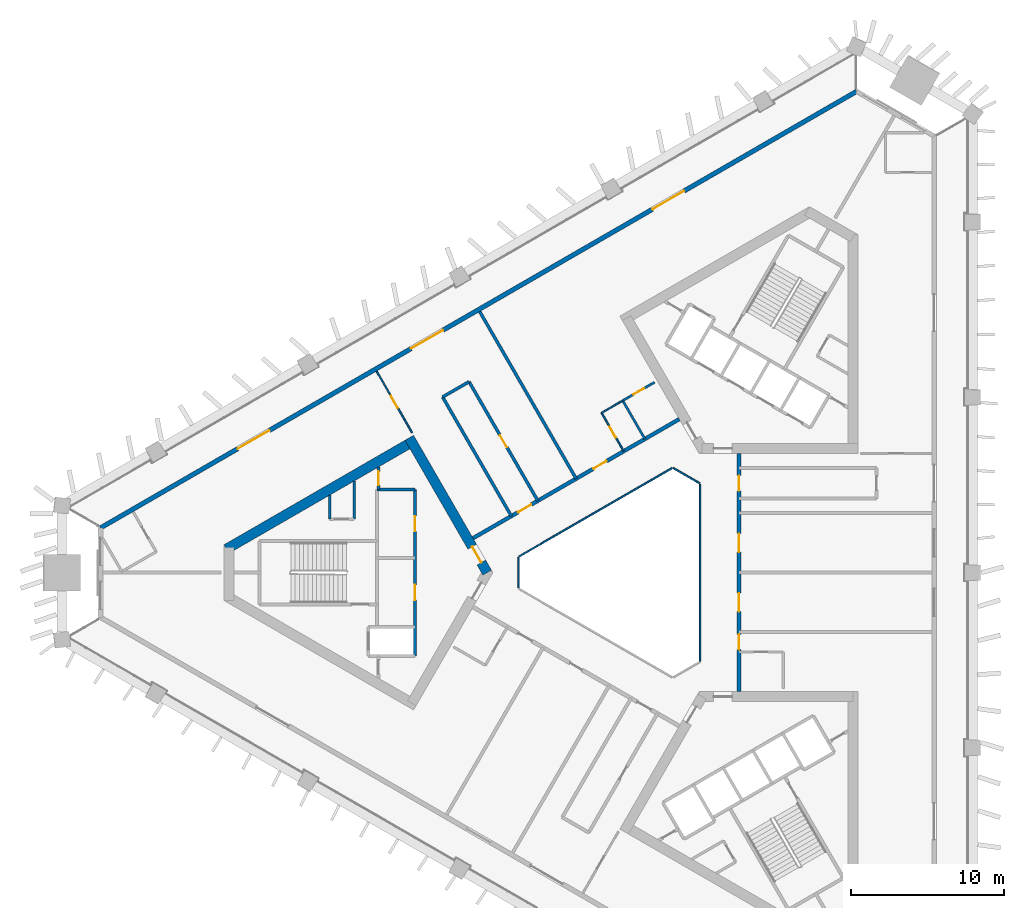
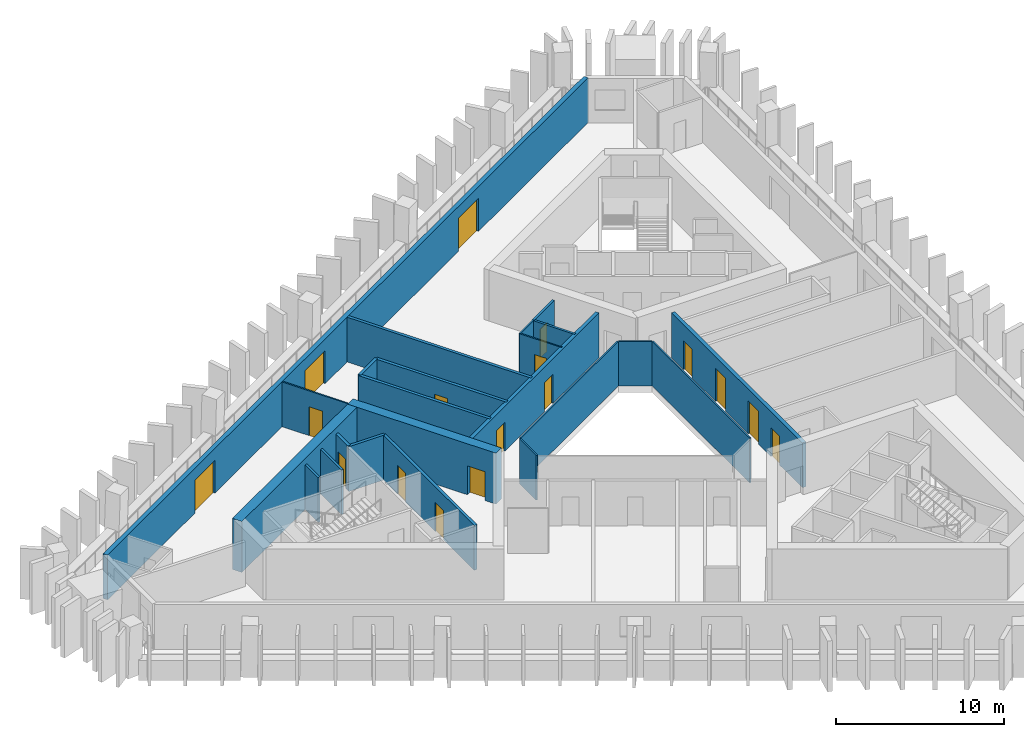
# One storey, part 4 of 10: 23 walls, 17 doors, 17 openings.
"""IFC4 building model written with IfcOpenShell, lengths in metres."""

from ifc_helpers import new_model, si_unit, direction, frame, frame_2d, origin, place, context, subcontext, project, spatial, rectangle, extrude, material, layer, layer_set, type_object, element, fill, save


model = new_model("IFC4")

# Units and contexts
model_context = context("Model", 3, precision=1e-05, world=origin(), true_north=direction((0.0, 1.0)))
body_context = subcontext(model_context, "Body", "Model", "MODEL_VIEW")
ifc_project = project(units=[si_unit("LENGTHUNIT", "METRE"), si_unit("AREAUNIT", "SQUARE_METRE"), si_unit("VOLUMEUNIT", "CUBIC_METRE"), si_unit("PLANEANGLEUNIT", "RADIAN"), si_unit("MASSUNIT", "GRAM", prefix="KILO")], contexts=[model_context])

# Site, building, storey
site_placement = place(None, origin())
site = spatial("IfcSite", under=ifc_project, at=site_placement, CompositionType="ELEMENT")
building_placement = place(site_placement, origin())
building = spatial("IfcBuilding", under=site, at=building_placement, Name="Jabali Bay Hotel Tower and Convention Centre", CompositionType="ELEMENT")
storey_placement = place(building_placement, frame((0.0, 0.0, 110.5)))
storey = spatial("IfcBuildingStorey", under=building, at=storey_placement, Name="L26", CompositionType="ELEMENT", Elevation=110.5)

# Walls
ifc_material_1 = material(Name="Fire-resistant glazing", Category="glass")
ifc_layer_1 = layer(ifc_material_1, 0.10009765625)
ifc_layer_set_1 = layer_set([ifc_layer_1], Name="Fire-resistant glazing")
wall_type_1 = type_object("IfcWallType", Name="Atrium glazed screen 100", PredefinedType="PARTITIONING", material=ifc_layer_set_1)
wall_1_placement = place(storey_placement, frame((79.56005859375, 74.205810546875, 0.0), z_axis=(0.0, 0.0, 1.0), x_axis=(0.0, 1.0, 0.0)))
element("IfcWall", 1, at=wall_1_placement, inside=storey, type_object=wall_type_1, Name="Atrium screen 1 L26", PredefinedType="PARTITIONING", context=body_context, shape_type="SweptSolid", body=[
    extrude(rectangle(XDim=11.58837890625, YDim=0.10009765625, at=frame_2d((5.794189453125, 0.0))), origin(), (0.0, 0.0, 1.0), 3.25),
])
wall_2_placement = place(storey_placement, frame((79.530029296875, 85.84619140625, 0.0), z_axis=(0.0, 0.0, 1.0), x_axis=(-0.866041268327, 0.499972520799, 0.0)))
element("IfcWall", 2, at=wall_2_placement, inside=storey, type_object=wall_type_1, Name="Atrium screen 2 L26", PredefinedType="PARTITIONING", context=body_context, shape_type="SweptSolid", body=[
    extrude(rectangle(XDim=2.0, YDim=0.10009765625, at=frame_2d((1.0, 0.0))), origin(), (0.0, 0.0, 1.0), 3.25),
])
wall_3_placement = place(storey_placement, frame((77.738037109375, 86.84619140625, 0.0), z_axis=(0.0, 0.0, 1.0), x_axis=(-0.866026658274, -0.499997827154, 0.0)))
element("IfcWall", 3, at=wall_3_placement, inside=storey, type_object=wall_type_1, Name="Atrium screen 3 L26", PredefinedType="PARTITIONING", context=body_context, shape_type="SweptSolid", body=[
    extrude(rectangle(XDim=11.58837890625, YDim=0.10009765625, at=frame_2d((5.794189453125, 0.0))), origin(), (0.0, 0.0, 1.0), 3.25),
])
wall_4_placement = place(storey_placement, frame((67.672119140625, 81.0, 0.0), z_axis=(0.0, 0.0, 1.0), x_axis=(0.0, -1.0, 0.0)))
element("IfcWall", 4, at=wall_4_placement, inside=storey, type_object=wall_type_1, Name="Atrium screen 4 L26", PredefinedType="PARTITIONING", context=body_context, shape_type="SweptSolid", body=[
    extrude(rectangle(XDim=2.0, YDim=0.10009765625, at=frame_2d((1.0, 0.0))), origin(), (0.0, 0.0, 1.0), 3.25),
])

# Wall, opening, door
ifc_material_2 = material(Name="Concrete C40", Category="concrete")
ifc_layer_2 = layer(ifc_material_2, 0.199951171875)
ifc_layer_set_2 = layer_set([ifc_layer_2], Name="Concrete C40")
wall_type_2 = type_object("IfcWallType", Name="Core partition wall 200", PredefinedType="PARTITIONING", material=ifc_layer_set_2)
wall_5_placement = place(storey_placement, frame((58.52001953125, 86.916748046875, 0.0), z_axis=(0.0, 0.0, 1.0), x_axis=(0.0, -1.0, 0.0)))
wall_5 = element("IfcWall", 5, at=wall_5_placement, inside=storey, type_object=wall_type_2, Name="Core wall 0.9 L26", PredefinedType="PARTITIONING", context=body_context, shape_type="SweptSolid", body=[
    extrude(rectangle(XDim=1.466796875, YDim=0.199951171875, at=frame_2d((0.7333984375, 0.0))), origin(), (0.0, 0.0, 1.0), 3.25),
])
opening_1_placement = place(wall_5_placement, frame((0.283447265625, 0.0, 0.0)))
opening_1 = element("IfcOpeningElement", 6, at=opening_1_placement, cuts=wall_5, Name="Opening D587", PredefinedType="OPENING", context=body_context, shape_type="SweptSolid", body=[
    extrude(rectangle(XDim=0.89990234375, YDim=2.10009765625, at=frame_2d((0.449951171875, 1.050048828125))), frame((0.0, 0.1103515625, 0.0), z_axis=(0.0, -1.0, 0.0), x_axis=(1.0, 0.0, 0.0)), (0.0, 0.0, 1.0), 0.220947265625),
])
ifc_material_3 = material(Name="Fire-rated steel door", Category="steel")
door_type_1 = type_object("IfcDoorType", Name="Vestibule fire door 900 x 2100", OperationType="NOTDEFINED", PredefinedType="NOTDEFINED", material=ifc_material_3)
door_1_placement = place(opening_1_placement, origin())
door_1 = element("IfcDoor", 7, at=door_1_placement, inside=storey, type_object=door_type_1, Name="Vestibule fire door D587", OperationType="SINGLE_SWING_LEFT", OverallHeight=2.10009765625, OverallWidth=0.89990234375, PredefinedType="NOTDEFINED", context=body_context, shape_type="SweptSolid", body=[
    extrude(rectangle(XDim=0.89990234375, YDim=2.10009765625, at=frame_2d((0.449951171875, 1.050048828125))), frame((0.0, 0.02490234375, 0.0), z_axis=(0.0, -1.0, 0.0), x_axis=(1.0, 0.0, 0.0)), (0.0, 0.0, 1.0), 0.050048828125),
])
fill(opening_1, door_1)

# Walls
ifc_material_4 = material(Name="Fire-rated board partition")
ifc_layer_3 = layer(ifc_material_4, 0.14990234375)
ifc_layer_set_3 = layer_set([ifc_layer_3], Name="Fire-rated board partition")
wall_type_3 = type_object("IfcWallType", Name="Core room partition 150", PredefinedType="PARTITIONING", material=ifc_layer_set_3)
wall_6_placement = place(storey_placement, frame((56.919921875, 85.992919921875, 0.0), z_axis=(0.0, 0.0, 1.0), x_axis=(0.0, -1.0, 0.0)))
element("IfcWall", 8, at=wall_6_placement, inside=storey, type_object=wall_type_3, Name="Core wall 0.13 L26", PredefinedType="PARTITIONING", context=body_context, shape_type="SweptSolid", body=[
    extrude(rectangle(XDim=2.492919921875, YDim=0.14990234375, at=frame_2d((1.24658203125, 0.0))), origin(), (0.0, 0.0, 1.0), 3.25),
])
wall_7_placement = place(storey_placement, frame((55.320068359375, 85.069091796875, 0.0), z_axis=(0.0, 0.0, 1.0), x_axis=(0.0, -1.0, 0.0)))
element("IfcWall", 9, at=wall_7_placement, inside=storey, type_object=wall_type_3, Name="Core wall 0.14 L26", PredefinedType="PARTITIONING", context=body_context, shape_type="SweptSolid", body=[
    extrude(rectangle(XDim=1.569091796875, YDim=0.14990234375, at=frame_2d((0.78466796875, 0.0))), origin(), (0.0, 0.0, 1.0), 3.25),
])
ifc_layer_4 = layer(ifc_material_2, 0.199951171875)
ifc_layer_set_4 = layer_set([ifc_layer_4], Name="Concrete C40")
wall_type_4 = type_object("IfcWallType", Name="Core stair wall 200", PredefinedType="SOLIDWALL", material=ifc_layer_set_4)
wall_8_placement = place(storey_placement, frame((60.89990234375, 85.449951171875, 0.0), z_axis=(0.0, 0.0, 1.0), x_axis=(-1.0, 0.0, 0.0)))
element("IfcWall", 10, at=wall_8_placement, inside=storey, type_object=wall_type_4, Name="Core wall 0.0 L26", PredefinedType="SOLIDWALL", context=body_context, shape_type="SweptSolid", body=[
    extrude(rectangle(XDim=2.47998046875, YDim=0.199951171875, at=frame_2d((1.239990234375, 0.0))), origin(), (0.0, 0.0, 1.0), 3.25),
])

# Wall, openings, doors
wall_9_placement = place(storey_placement, frame((60.89990234375, 85.449951171875, 0.0), z_axis=(0.0, 0.0, 1.0), x_axis=(0.0, -1.0, 0.0)))
wall_9 = element("IfcWall", 11, at=wall_9_placement, inside=storey, type_object=wall_type_4, Name="Core wall 0.8 L26", PredefinedType="SOLIDWALL", context=body_context, shape_type="SweptSolid", body=[
    extrude(rectangle(XDim=10.89990234375, YDim=0.199951171875, at=frame_2d((5.449951171875, 0.0))), origin(), (0.0, 0.0, 1.0), 3.25),
])
opening_2_placement = place(wall_9_placement, frame((1.75, 0.0, 0.0)))
opening_2 = element("IfcOpeningElement", 12, at=opening_2_placement, cuts=wall_9, Name="Opening D584", PredefinedType="OPENING", context=body_context, shape_type="SweptSolid", body=[
    extrude(rectangle(XDim=1.0, YDim=2.10009765625, at=frame_2d((0.5, 1.050048828125))), frame((0.0, 0.1103515625, 0.0), z_axis=(0.0, -1.0, 0.0), x_axis=(1.0, 0.0, 0.0)), (0.0, 0.0, 1.0), 0.220947265625),
])
opening_3_placement = place(wall_9_placement, frame((6.25, 0.0, 0.0)))
opening_3 = element("IfcOpeningElement", 13, at=opening_3_placement, cuts=wall_9, Name="Opening D585", PredefinedType="OPENING", context=body_context, shape_type="SweptSolid", body=[
    extrude(rectangle(XDim=1.0, YDim=2.10009765625, at=frame_2d((0.5, 1.050048828125))), frame((0.0, 0.1103515625, 0.0), z_axis=(0.0, -1.0, 0.0), x_axis=(1.0, 0.0, 0.0)), (0.0, 0.0, 1.0), 0.220947265625),
])
door_type_2 = type_object("IfcDoorType", Name="Core room door 1000 x 2100", OperationType="NOTDEFINED", PredefinedType="NOTDEFINED", material=ifc_material_3)
door_2_placement = place(opening_2_placement, origin())
door_2 = element("IfcDoor", 14, at=door_2_placement, inside=storey, type_object=door_type_2, Name="Core room door D584", OperationType="SINGLE_SWING_RIGHT", OverallHeight=2.10009765625, OverallWidth=1.0, PredefinedType="NOTDEFINED", context=body_context, shape_type="SweptSolid", body=[
    extrude(rectangle(XDim=1.0, YDim=2.10009765625, at=frame_2d((0.5, 1.050048828125))), frame((0.0, 0.02490234375, 0.0), z_axis=(0.0, -1.0, 0.0), x_axis=(1.0, 0.0, 0.0)), (0.0, 0.0, 1.0), 0.050048828125),
])
fill(opening_2, door_2)
door_3_placement = place(opening_3_placement, origin())
door_3 = element("IfcDoor", 15, at=door_3_placement, inside=storey, type_object=door_type_2, Name="Core room door D585", OperationType="SINGLE_SWING_RIGHT", OverallHeight=2.10009765625, OverallWidth=1.0, PredefinedType="NOTDEFINED", context=body_context, shape_type="SweptSolid", body=[
    extrude(rectangle(XDim=1.0, YDim=2.10009765625, at=frame_2d((0.5, 1.050048828125))), frame((0.0, 0.02490234375, 0.0), z_axis=(0.0, -1.0, 0.0), x_axis=(1.0, 0.0, 0.0)), (0.0, 0.0, 1.0), 0.050048828125),
])
fill(opening_3, door_3)

# Wall, opening, door
ifc_material_5 = material(Name="Concrete C60", Category="concrete")
ifc_layer_5 = layer(ifc_material_5, 0.64990234375)
ifc_layer_set_5 = layer_set([ifc_layer_5], Name="Concrete C60")
wall_type_5 = type_object("IfcWallType", Name="Core wall 650", PredefinedType="SHEAR", material=ifc_layer_set_5)
wall_10_placement = place(storey_placement, frame((65.624755859375, 80.0, 0.0), z_axis=(0.0, 0.0, 1.0), x_axis=(-0.49999822179, 0.866026430432, 0.0)))
wall_10 = element("IfcWall", 16, at=wall_10_placement, inside=storey, type_object=wall_type_5, Name="Core wall 1.1 L26", PredefinedType="SHEAR", context=body_context, shape_type="SweptSolid", body=[
    extrude(rectangle(XDim=10.1923828125, YDim=0.64990234375, at=frame_2d((5.09619140625, 0.0))), origin(), (0.0, 0.0, 1.0), 3.699951171875),
])
opening_4_placement = place(wall_10_placement, frame((0.762451171875, 0.0, 0.0)))
opening_4 = element("IfcOpeningElement", 17, at=opening_4_placement, cuts=wall_10, Name="Opening D582", PredefinedType="OPENING", context=body_context, shape_type="SweptSolid", body=[
    extrude(rectangle(XDim=1.199951171875, YDim=2.10009765625, at=frame_2d((0.60009765625, 1.050048828125))), frame((0.0, 0.33544921875, 0.0), z_axis=(0.0, -1.0, 0.0), x_axis=(1.0, 0.0, 0.0)), (0.0, 0.0, 1.0), 0.6708984375),
])
door_type_3 = type_object("IfcDoorType", Name="Corridor end fire door 1200 x 2100", OperationType="NOTDEFINED", PredefinedType="NOTDEFINED", material=ifc_material_3)
door_4_placement = place(opening_4_placement, origin())
door_4 = element("IfcDoor", 18, at=door_4_placement, inside=storey, type_object=door_type_3, Name="Corridor end fire door D582", OperationType="SINGLE_SWING_RIGHT", OverallHeight=2.10009765625, OverallWidth=1.199951171875, PredefinedType="NOTDEFINED", context=body_context, shape_type="SweptSolid", body=[
    extrude(rectangle(XDim=1.199951171875, YDim=2.10009765625, at=frame_2d((0.60009765625, 1.050048828125))), frame((0.0, 0.02490234375, 0.0), z_axis=(0.0, -1.0, 0.0), x_axis=(1.0, 0.0, 0.0)), (0.0, 0.0, 1.0), 0.050048828125),
])
fill(opening_4, door_4)

# Wall
wall_11_placement = place(storey_placement, frame((60.691162109375, 88.54541015625, 0.0), z_axis=(0.0, 0.0, 1.0), x_axis=(-0.866030607649, -0.499990986534, 0.0)))
element("IfcWall", 19, at=wall_11_placement, inside=storey, type_object=wall_type_5, Name="Core wall 1.2 L26", PredefinedType="SHEAR", context=body_context, shape_type="SweptSolid", body=[
    extrude(rectangle(XDim=14.008544921875, YDim=0.64990234375, at=frame_2d((7.00439453125, 0.0))), origin(), (0.0, 0.0, 1.0), 3.699951171875),
])

# Wall, openings, doors
ifc_layer_6 = layer(ifc_material_5, 0.25)
ifc_layer_set_6 = layer_set([ifc_layer_6], Name="Concrete C60")
wall_type_6 = type_object("IfcWallType", Name="Corridor wall 250", PredefinedType="SHEAR", material=ifc_layer_set_6)
wall_12_placement = place(storey_placement, frame((82.10009765625, 72.205810546875, 0.0), z_axis=(0.0, 0.0, 1.0), x_axis=(0.0, 1.0, 0.0)))
wall_12 = element("IfcWall", 20, at=wall_12_placement, inside=storey, type_object=wall_type_6, Name="Corridor wall 1 L26", PredefinedType="SHEAR", context=body_context, shape_type="SweptSolid", body=[
    extrude(rectangle(XDim=15.58837890625, YDim=0.25, at=frame_2d((7.794189453125, 0.0))), origin(), (0.0, 0.0, 1.0), 3.25),
])
opening_5_placement = place(wall_12_placement, frame((2.7470703125, 0.0, 0.0)))
opening_5 = element("IfcOpeningElement", 21, at=opening_5_placement, cuts=wall_12, Name="Opening 2602", PredefinedType="OPENING", context=body_context, shape_type="SweptSolid", body=[
    extrude(rectangle(XDim=1.0, YDim=2.10009765625, at=frame_2d((0.5, 1.050048828125))), frame((0.0, 0.135498046875, 0.0), z_axis=(0.0, -1.0, 0.0), x_axis=(1.0, 0.0, 0.0)), (0.0, 0.0, 1.0), 0.27099609375),
])
opening_6_placement = place(wall_12_placement, frame((5.24560546875, 0.0, 0.0)))
opening_6 = element("IfcOpeningElement", 22, at=opening_6_placement, cuts=wall_12, Name="Opening 2603", PredefinedType="OPENING", context=body_context, shape_type="SweptSolid", body=[
    extrude(rectangle(XDim=1.199951171875, YDim=2.39990234375, at=frame_2d((0.60009765625, 1.199951171875))), frame((0.0, 0.135498046875, 0.0), z_axis=(0.0, -1.0, 0.0), x_axis=(1.0, 0.0, 0.0)), (0.0, 0.0, 1.0), 0.27099609375),
])
opening_7_placement = place(wall_12_placement, frame((9.142822265625, 0.0, 0.0)))
opening_7 = element("IfcOpeningElement", 23, at=opening_7_placement, cuts=wall_12, Name="Opening 2604", PredefinedType="OPENING", context=body_context, shape_type="SweptSolid", body=[
    extrude(rectangle(XDim=1.199951171875, YDim=2.39990234375, at=frame_2d((0.60009765625, 1.199951171875))), frame((0.0, 0.135498046875, 0.0), z_axis=(0.0, -1.0, 0.0), x_axis=(1.0, 0.0, 0.0)), (0.0, 0.0, 1.0), 0.27099609375),
])
opening_8_placement = place(wall_12_placement, frame((13.139892578125, 0.0, 0.0)))
opening_8 = element("IfcOpeningElement", 24, at=opening_8_placement, cuts=wall_12, Name="Opening 2605", PredefinedType="OPENING", context=body_context, shape_type="SweptSolid", body=[
    extrude(rectangle(XDim=1.0, YDim=2.10009765625, at=frame_2d((0.5, 1.050048828125))), frame((0.0, 0.135498046875, 0.0), z_axis=(0.0, -1.0, 0.0), x_axis=(1.0, 0.0, 0.0)), (0.0, 0.0, 1.0), 0.27099609375),
])
ifc_material_6 = material(Name="Timber", Category="wood")
door_type_4 = type_object("IfcDoorType", Name="Guest room door 1000 x 2100", OperationType="NOTDEFINED", PredefinedType="NOTDEFINED", material=ifc_material_6)
door_5_placement = place(opening_5_placement, origin())
door_5 = element("IfcDoor", 25, at=door_5_placement, inside=storey, type_object=door_type_4, Name="Door 2602", OperationType="SINGLE_SWING_LEFT", OverallHeight=2.10009765625, OverallWidth=1.0, PredefinedType="NOTDEFINED", context=body_context, shape_type="SweptSolid", body=[
    extrude(rectangle(XDim=1.0, YDim=2.10009765625, at=frame_2d((0.5, 1.050048828125))), frame((0.0, 0.02490234375, 0.0), z_axis=(0.0, -1.0, 0.0), x_axis=(1.0, 0.0, 0.0)), (0.0, 0.0, 1.0), 0.050048828125),
])
fill(opening_5, door_5)
door_6_placement = place(opening_8_placement, origin())
door_6 = element("IfcDoor", 26, at=door_6_placement, inside=storey, type_object=door_type_4, Name="Door 2605", OperationType="SINGLE_SWING_RIGHT", OverallHeight=2.10009765625, OverallWidth=1.0, PredefinedType="NOTDEFINED", context=body_context, shape_type="SweptSolid", body=[
    extrude(rectangle(XDim=1.0, YDim=2.10009765625, at=frame_2d((0.5, 1.050048828125))), frame((0.0, 0.02490234375, 0.0), z_axis=(0.0, -1.0, 0.0), x_axis=(1.0, 0.0, 0.0)), (0.0, 0.0, 1.0), 0.050048828125),
])
fill(opening_8, door_6)
door_type_5 = type_object("IfcDoorType", Name="Public room door 1200 x 2400", OperationType="NOTDEFINED", PredefinedType="NOTDEFINED", material=ifc_material_6)
door_7_placement = place(opening_6_placement, origin())
door_7 = element("IfcDoor", 27, at=door_7_placement, inside=storey, type_object=door_type_5, Name="Door 2603", OperationType="SINGLE_SWING_LEFT", OverallHeight=2.39990234375, OverallWidth=1.199951171875, PredefinedType="NOTDEFINED", context=body_context, shape_type="SweptSolid", body=[
    extrude(rectangle(XDim=1.199951171875, YDim=2.39990234375, at=frame_2d((0.60009765625, 1.199951171875))), frame((0.0, 0.02490234375, 0.0), z_axis=(0.0, -1.0, 0.0), x_axis=(1.0, 0.0, 0.0)), (0.0, 0.0, 1.0), 0.050048828125),
])
fill(opening_6, door_7)
door_8_placement = place(opening_7_placement, origin())
door_8 = element("IfcDoor", 28, at=door_8_placement, inside=storey, type_object=door_type_5, Name="Door 2604", OperationType="SINGLE_SWING_RIGHT", OverallHeight=2.39990234375, OverallWidth=1.199951171875, PredefinedType="NOTDEFINED", context=body_context, shape_type="SweptSolid", body=[
    extrude(rectangle(XDim=1.199951171875, YDim=2.39990234375, at=frame_2d((0.60009765625, 1.199951171875))), frame((0.0, 0.02490234375, 0.0), z_axis=(0.0, -1.0, 0.0), x_axis=(1.0, 0.0, 0.0)), (0.0, 0.0, 1.0), 0.050048828125),
])
fill(opening_7, door_8)

wall_13_placement = place(storey_placement, frame((78.199951171875, 90.0458984375, 0.0), z_axis=(0.0, 0.0, 1.0), x_axis=(-0.866026492143, -0.499998114903, 0.0)))
wall_13 = element("IfcWall", 29, at=wall_13_placement, inside=storey, type_object=wall_type_6, Name="Corridor wall 2 L26", PredefinedType="SHEAR", context=body_context, shape_type="SweptSolid", body=[
    extrude(rectangle(XDim=15.58837890625, YDim=0.25, at=frame_2d((7.794189453125, 0.0))), origin(), (0.0, 0.0, 1.0), 3.25),
])
opening_9_placement = place(wall_13_placement, frame((5.4970703125, 0.0, 0.0)))
opening_9 = element("IfcOpeningElement", 30, at=opening_9_placement, cuts=wall_13, Name="Opening 2611", PredefinedType="OPENING", context=body_context, shape_type="SweptSolid", body=[
    extrude(rectangle(XDim=1.0, YDim=2.10009765625, at=frame_2d((0.5, 1.050048828125))), frame((0.0, 0.135498046875, 0.0), z_axis=(0.0, -1.0, 0.0), x_axis=(1.0, 0.0, 0.0)), (0.0, 0.0, 1.0), 0.27099609375),
])
opening_10_placement = place(wall_13_placement, frame((11.19140625, 0.0, 0.0)))
opening_10 = element("IfcOpeningElement", 31, at=opening_10_placement, cuts=wall_13, Name="Opening 2612", PredefinedType="OPENING", context=body_context, shape_type="SweptSolid", body=[
    extrude(rectangle(XDim=1.0, YDim=2.10009765625, at=frame_2d((0.5, 1.050048828125))), frame((0.0, 0.135498046875, 0.0), z_axis=(0.0, -1.0, 0.0), x_axis=(1.0, 0.0, 0.0)), (0.0, 0.0, 1.0), 0.27099609375),
])
door_9_placement = place(opening_9_placement, origin())
door_9 = element("IfcDoor", 32, at=door_9_placement, inside=storey, type_object=door_type_4, Name="Door 2611", OperationType="SINGLE_SWING_LEFT", OverallHeight=2.10009765625, OverallWidth=1.0, PredefinedType="NOTDEFINED", context=body_context, shape_type="SweptSolid", body=[
    extrude(rectangle(XDim=1.0, YDim=2.10009765625, at=frame_2d((0.5, 1.050048828125))), frame((0.0, 0.02490234375, 0.0), z_axis=(0.0, -1.0, 0.0), x_axis=(1.0, 0.0, 0.0)), (0.0, 0.0, 1.0), 0.050048828125),
])
fill(opening_9, door_9)
door_10_placement = place(opening_10_placement, origin())
door_10 = element("IfcDoor", 33, at=door_10_placement, inside=storey, type_object=door_type_4, Name="Door 2612", OperationType="SINGLE_SWING_RIGHT", OverallHeight=2.10009765625, OverallWidth=1.0, PredefinedType="NOTDEFINED", context=body_context, shape_type="SweptSolid", body=[
    extrude(rectangle(XDim=1.0, YDim=2.10009765625, at=frame_2d((0.5, 1.050048828125))), frame((0.0, 0.02490234375, 0.0), z_axis=(0.0, -1.0, 0.0), x_axis=(1.0, 0.0, 0.0)), (0.0, 0.0, 1.0), 0.050048828125),
])
fill(opening_10, door_10)

ifc_layer_7 = layer(ifc_material_2, 0.300048828125)
ifc_layer_set_7 = layer_set([ifc_layer_7], Name="Concrete C40")
wall_type_7 = type_object("IfcWallType", Name="External wall 300", PredefinedType="SOLIDWALL", material=ifc_layer_set_7)
wall_14_placement = place(storey_placement, frame((40.31494140625, 82.924072265625, 0.0), z_axis=(0.0, 0.0, 1.0), x_axis=(0.866025315226, 0.500000153387, 0.0)))
wall_14 = element("IfcWall", 34, at=wall_14_placement, inside=storey, type_object=wall_type_7, Name="External wall north-west face L26", PredefinedType="SOLIDWALL", context=body_context, shape_type="SweptSolid", body=[
    extrude(rectangle(XDim=57.15234375, YDim=0.300048828125, at=frame_2d((28.576171875, 0.0))), origin(), (0.0, 0.0, 1.0), 3.25),
])
opening_11_placement = place(wall_14_placement, frame((23.47900390625, 0.0, 0.0)))
opening_11 = element("IfcOpeningElement", 35, at=opening_11_placement, cuts=wall_14, Name="Opening SD1", PredefinedType="OPENING", context=body_context, shape_type="SweptSolid", body=[
    extrude(rectangle(XDim=2.39990234375, YDim=2.39990234375, at=frame_2d((1.199951171875, 1.199951171875))), frame((0.0, 0.16064453125, 0.0), z_axis=(0.0, -1.0, 0.0), x_axis=(1.0, 0.0, 0.0)), (0.0, 0.0, 1.0), 0.321044921875),
])
opening_12_placement = place(wall_14_placement, frame((10.372802734375, 0.0, 0.0)))
opening_12 = element("IfcOpeningElement", 36, at=opening_12_placement, cuts=wall_14, Name="Opening SD1", PredefinedType="OPENING", context=body_context, shape_type="SweptSolid", body=[
    extrude(rectangle(XDim=2.39990234375, YDim=2.39990234375, at=frame_2d((1.199951171875, 1.199951171875))), frame((0.0, 0.16064453125, 0.0), z_axis=(0.0, -1.0, 0.0), x_axis=(1.0, 0.0, 0.0)), (0.0, 0.0, 1.0), 0.321044921875),
])
opening_13_placement = place(wall_14_placement, frame((41.70751953125, 0.0, 0.0)))
opening_13 = element("IfcOpeningElement", 37, at=opening_13_placement, cuts=wall_14, Name="Opening SD1", PredefinedType="OPENING", context=body_context, shape_type="SweptSolid", body=[
    extrude(rectangle(XDim=2.39990234375, YDim=2.39990234375, at=frame_2d((1.199951171875, 1.199951171875))), frame((0.0, 0.16064453125, 0.0), z_axis=(0.0, -1.0, 0.0), x_axis=(1.0, 0.0, 0.0)), (0.0, 0.0, 1.0), 0.321044921875),
])
ifc_material_7 = material(Name="Glass", Category="glass")
door_type_6 = type_object("IfcDoorType", Name="Loggia sliding door 2400 x 2400", OperationType="NOTDEFINED", PredefinedType="NOTDEFINED", material=ifc_material_7)
door_11_placement = place(opening_11_placement, origin())
door_11 = element("IfcDoor", 38, at=door_11_placement, inside=storey, type_object=door_type_6, Name="Loggia sliding door 2605", OperationType="SLIDING_TO_LEFT", OverallHeight=2.39990234375, OverallWidth=2.39990234375, PredefinedType="NOTDEFINED", context=body_context, shape_type="SweptSolid", body=[
    extrude(rectangle(XDim=2.39990234375, YDim=2.39990234375, at=frame_2d((1.199951171875, 1.199951171875))), frame((0.0, 0.02490234375, 0.0), z_axis=(0.0, -1.0, 0.0), x_axis=(1.0, 0.0, 0.0)), (0.0, 0.0, 1.0), 0.050048828125),
])
fill(opening_11, door_11)
door_12_placement = place(opening_12_placement, origin())
door_12 = element("IfcDoor", 39, at=door_12_placement, inside=storey, type_object=door_type_6, Name="Loggia sliding door 2605", OperationType="SLIDING_TO_RIGHT", OverallHeight=2.39990234375, OverallWidth=2.39990234375, PredefinedType="NOTDEFINED", context=body_context, shape_type="SweptSolid", body=[
    extrude(rectangle(XDim=2.39990234375, YDim=2.39990234375, at=frame_2d((1.199951171875, 1.199951171875))), frame((0.0, 0.02490234375, 0.0), z_axis=(0.0, -1.0, 0.0), x_axis=(1.0, 0.0, 0.0)), (0.0, 0.0, 1.0), 0.050048828125),
])
fill(opening_12, door_12)
door_13_placement = place(opening_13_placement, origin())
door_13 = element("IfcDoor", 40, at=door_13_placement, inside=storey, type_object=door_type_6, Name="Loggia sliding door 2604", OperationType="SLIDING_TO_LEFT", OverallHeight=2.39990234375, OverallWidth=2.39990234375, PredefinedType="NOTDEFINED", context=body_context, shape_type="SweptSolid", body=[
    extrude(rectangle(XDim=2.39990234375, YDim=2.39990234375, at=frame_2d((1.199951171875, 1.199951171875))), frame((0.0, 0.02490234375, 0.0), z_axis=(0.0, -1.0, 0.0), x_axis=(1.0, 0.0, 0.0)), (0.0, 0.0, 1.0), 0.050048828125),
])
fill(opening_13, door_13)

# Wall, opening, door
ifc_material_8 = material(Name="Plasterboard on steel stud", Category="steel")
ifc_layer_8 = layer(ifc_material_8, 0.10009765625)
ifc_layer_set_8 = layer_set([ifc_layer_8], Name="Plasterboard on steel stud")
wall_type_8 = type_object("IfcWallType", Name="Partition 100 unit", PredefinedType="PARTITIONING", material=ifc_layer_set_8)
wall_15_placement = place(storey_placement, frame((74.562744140625, 87.94580078125, 0.0), z_axis=(0.0, 0.0, 1.0), x_axis=(-0.499987231761, 0.866032775405, 0.0)))
wall_15 = element("IfcWall", 41, at=wall_15_placement, inside=storey, type_object=wall_type_8, Name="Partition P02 L26 016", PredefinedType="PARTITIONING", context=body_context, shape_type="SweptSolid", body=[
    extrude(rectangle(XDim=2.89990234375, YDim=0.10009765625, at=frame_2d((1.449951171875, 0.0))), origin(), (0.0, 0.0, 1.0), 3.25),
])
opening_14_placement = place(wall_15_placement, frame((1.050048828125, 0.0, 0.0)))
opening_14 = element("IfcOpeningElement", 42, at=opening_14_placement, cuts=wall_15, Name="Opening 2610", PredefinedType="OPENING", context=body_context, shape_type="SweptSolid", body=[
    extrude(rectangle(XDim=0.800048828125, YDim=2.10009765625, at=frame_2d((0.39990234375, 1.050048828125))), frame((0.0, 0.060546875, 0.0), z_axis=(0.0, -1.0, 0.0), x_axis=(1.0, 0.0, 0.0)), (0.0, 0.0, 1.0), 0.12109375),
])
door_type_7 = type_object("IfcDoorType", Name="Dressing room door 800 x 2100", OperationType="NOTDEFINED", PredefinedType="NOTDEFINED", material=ifc_material_6)
door_14_placement = place(opening_14_placement, origin())
door_14 = element("IfcDoor", 43, at=door_14_placement, inside=storey, type_object=door_type_7, Name="Door 2610", OperationType="SINGLE_SWING_RIGHT", OverallHeight=2.10009765625, OverallWidth=0.800048828125, PredefinedType="NOTDEFINED", context=body_context, shape_type="SweptSolid", body=[
    extrude(rectangle(XDim=0.800048828125, YDim=2.10009765625, at=frame_2d((0.39990234375, 1.050048828125))), frame((0.0, 0.02490234375, 0.0), z_axis=(0.0, -1.0, 0.0), x_axis=(1.0, 0.0, 0.0)), (0.0, 0.0, 1.0), 0.050048828125),
])
fill(opening_14, door_14)

# Wall
wall_16_placement = place(storey_placement, frame((73.11279296875, 90.457275390625, 0.0), z_axis=(0.0, 0.0, 1.0), x_axis=(0.865989903783, 0.500061482766, 0.0)))
element("IfcWall", 44, at=wall_16_placement, inside=storey, type_object=wall_type_8, Name="Partition P02 L26 017", PredefinedType="PARTITIONING", context=body_context, shape_type="SweptSolid", body=[
    extrude(rectangle(XDim=1.599853515625, YDim=0.10009765625, at=frame_2d((0.7998046875, 0.0))), origin(), (0.0, 0.0, 1.0), 3.25),
])

# Wall, opening, door
wall_17_placement = place(storey_placement, frame((58.38720703125, 93.18603515625, 0.0), z_axis=(0.0, 0.0, 1.0), x_axis=(0.499958946799, -0.866049104564, 0.0)))
wall_17 = element("IfcWall", 45, at=wall_17_placement, inside=storey, type_object=wall_type_8, Name="Partition P02 L26 020", PredefinedType="PARTITIONING", context=body_context, shape_type="SweptSolid", body=[
    extrude(rectangle(XDim=4.64697265625, YDim=0.10009765625, at=frame_2d((2.323486328125, 0.0))), origin(), (0.0, 0.0, 1.0), 3.25),
])
opening_15_placement = place(wall_17_placement, frame((1.873046875, 0.0, 0.0)))
opening_15 = element("IfcOpeningElement", 46, at=opening_15_placement, cuts=wall_17, Name="Opening 2613", PredefinedType="OPENING", context=body_context, shape_type="SweptSolid", body=[
    extrude(rectangle(XDim=0.89990234375, YDim=2.10009765625, at=frame_2d((0.449951171875, 1.050048828125))), frame((0.0, 0.060546875, 0.0), z_axis=(0.0, -1.0, 0.0), x_axis=(1.0, 0.0, 0.0)), (0.0, 0.0, 1.0), 0.12109375),
])
door_type_8 = type_object("IfcDoorType", Name="Internal door 900 x 2100", OperationType="NOTDEFINED", PredefinedType="NOTDEFINED", material=ifc_material_6)
door_15_placement = place(opening_15_placement, origin())
door_15 = element("IfcDoor", 47, at=door_15_placement, inside=storey, type_object=door_type_8, Name="Door 2613", OperationType="SINGLE_SWING_LEFT", OverallHeight=2.10009765625, OverallWidth=0.89990234375, PredefinedType="NOTDEFINED", context=body_context, shape_type="SweptSolid", body=[
    extrude(rectangle(XDim=0.89990234375, YDim=2.10009765625, at=frame_2d((0.449951171875, 1.050048828125))), frame((0.0, 0.02490234375, 0.0), z_axis=(0.0, -1.0, 0.0), x_axis=(1.0, 0.0, 0.0)), (0.0, 0.0, 1.0), 0.050048828125),
])
fill(opening_15, door_15)

ifc_layer_9 = layer(ifc_material_8, 0.14990234375)
ifc_layer_set_9 = layer_set([ifc_layer_9], Name="Plasterboard on steel stud")
wall_type_9 = type_object("IfcWallType", Name="Partition 150 wet", PredefinedType="PARTITIONING", material=ifc_layer_set_9)
wall_18_placement = place(storey_placement, frame((74.498291015625, 91.25732421875, 0.0), z_axis=(0.0, 0.0, 1.0), x_axis=(0.866038271014, 0.499977712642, 0.0)))
wall_18 = element("IfcWall", 48, at=wall_18_placement, inside=storey, type_object=wall_type_9, Name="Partition P03 L26 015", PredefinedType="PARTITIONING", context=body_context, shape_type="SweptSolid", body=[
    extrude(rectangle(XDim=2.40087890625, YDim=0.14990234375, at=frame_2d((1.200439453125, 0.0))), origin(), (0.0, 0.0, 1.0), 3.25),
])
opening_16_placement = place(wall_18_placement, frame((0.801025390625, 0.0, 0.0)))
opening_16 = element("IfcOpeningElement", 49, at=opening_16_placement, cuts=wall_18, Name="Opening 2609", PredefinedType="OPENING", context=body_context, shape_type="SweptSolid", body=[
    extrude(rectangle(XDim=0.800048828125, YDim=2.10009765625, at=frame_2d((0.39990234375, 1.050048828125))), frame((0.0, 0.08544921875, 0.0), z_axis=(0.0, -1.0, 0.0), x_axis=(1.0, 0.0, 0.0)), (0.0, 0.0, 1.0), 0.1708984375),
])
door_type_9 = type_object("IfcDoorType", Name="En-suite door 800 x 2100", OperationType="NOTDEFINED", PredefinedType="NOTDEFINED", material=ifc_material_6)
door_16_placement = place(opening_16_placement, origin())
door_16 = element("IfcDoor", 50, at=door_16_placement, inside=storey, type_object=door_type_9, Name="Door 2609", OperationType="SINGLE_SWING_LEFT", OverallHeight=2.10009765625, OverallWidth=0.800048828125, PredefinedType="NOTDEFINED", context=body_context, shape_type="SweptSolid", body=[
    extrude(rectangle(XDim=0.800048828125, YDim=2.10009765625, at=frame_2d((0.39990234375, 1.050048828125))), frame((0.0, 0.02490234375, 0.0), z_axis=(0.0, -1.0, 0.0), x_axis=(1.0, 0.0, 0.0)), (0.0, 0.0, 1.0), 0.050048828125),
])
fill(opening_16, door_16)

# Walls
wall_19_placement = place(storey_placement, frame((74.498291015625, 91.25732421875, 0.0), z_axis=(0.0, 0.0, 1.0), x_axis=(0.499987231761, -0.866032775405, 0.0)))
element("IfcWall", 51, at=wall_19_placement, inside=storey, type_object=wall_type_9, Name="Partition P03 L26 019", PredefinedType="PARTITIONING", context=body_context, shape_type="SweptSolid", body=[
    extrude(rectangle(XDim=2.89990234375, YDim=0.14990234375, at=frame_2d((1.449951171875, 0.0))), origin(), (0.0, 0.0, 1.0), 3.25),
])
ifc_layer_10 = layer(ifc_material_8, 0.199951171875)
ifc_layer_set_10 = layer_set([ifc_layer_10], Name="Plasterboard on steel stud")
wall_type_10 = type_object("IfcWallType", Name="Partition 200 party", PredefinedType="PARTITIONING", material=ifc_layer_set_10)
wall_20_placement = place(storey_placement, frame((65.13720703125, 97.0830078125, 0.0), z_axis=(0.0, 0.0, 1.0), x_axis=(0.499988593641, -0.866031989149, 0.0)))
element("IfcWall", 52, at=wall_20_placement, inside=storey, type_object=wall_type_10, Name="Partition P01 L26 018", PredefinedType="PARTITIONING", context=body_context, shape_type="SweptSolid", body=[
    extrude(rectangle(XDim=12.625732421875, YDim=0.199951171875, at=frame_2d((6.31298828125, 0.0))), origin(), (0.0, 0.0, 1.0), 3.25),
])
wall_21_placement = place(storey_placement, frame((67.208984375, 83.7001953125, 0.0), z_axis=(0.0, 0.0, 1.0), x_axis=(-0.5000018851, 0.866024315419, 0.0)))
element("IfcWall", 53, at=wall_21_placement, inside=storey, type_object=wall_type_10, Name="Partition P01 L26 021", PredefinedType="PARTITIONING", context=body_context, shape_type="SweptSolid", body=[
    extrude(rectangle(XDim=9.0, YDim=0.199951171875, at=frame_2d((4.5, 0.0))), origin(), (0.0, 0.0, 1.0), 3.25),
])
wall_22_placement = place(storey_placement, frame((62.708984375, 91.494384765625, 0.0), z_axis=(0.0, 0.0, 1.0), x_axis=(0.866010750942, 0.50002537861, 0.0)))
element("IfcWall", 54, at=wall_22_placement, inside=storey, type_object=wall_type_10, Name="Partition P01 L26 022", PredefinedType="PARTITIONING", context=body_context, shape_type="SweptSolid", body=[
    extrude(rectangle(XDim=2.0, YDim=0.199951171875, at=frame_2d((1.0, 0.0))), origin(), (0.0, 0.0, 1.0), 3.25),
])

# Wall, opening, door
wall_23_placement = place(storey_placement, frame((64.44091796875, 92.494384765625, 0.0), z_axis=(0.0, 0.0, 1.0), x_axis=(0.5000018851, -0.866024315419, 0.0)))
wall_23 = element("IfcWall", 55, at=wall_23_placement, inside=storey, type_object=wall_type_10, Name="Partition P01 L26 023", PredefinedType="PARTITIONING", context=body_context, shape_type="SweptSolid", body=[
    extrude(rectangle(XDim=9.0, YDim=0.199951171875, at=frame_2d((4.5, 0.0))), origin(), (0.0, 0.0, 1.0), 3.25),
])
opening_17_placement = place(wall_23_placement, frame((4.050048828125, 0.0, 0.0)))
opening_17 = element("IfcOpeningElement", 56, at=opening_17_placement, cuts=wall_23, Name="Opening 2615", PredefinedType="OPENING", context=body_context, shape_type="SweptSolid", body=[
    extrude(rectangle(XDim=0.89990234375, YDim=2.10009765625, at=frame_2d((0.449951171875, 1.050048828125))), frame((0.0, 0.1103515625, 0.0), z_axis=(0.0, -1.0, 0.0), x_axis=(1.0, 0.0, 0.0)), (0.0, 0.0, 1.0), 0.220947265625),
])
door_17_placement = place(opening_17_placement, origin())
door_17 = element("IfcDoor", 57, at=door_17_placement, inside=storey, type_object=door_type_8, Name="Door 2615", OperationType="SINGLE_SWING_RIGHT", OverallHeight=2.10009765625, OverallWidth=0.89990234375, PredefinedType="NOTDEFINED", context=body_context, shape_type="SweptSolid", body=[
    extrude(rectangle(XDim=0.89990234375, YDim=2.10009765625, at=frame_2d((0.449951171875, 1.050048828125))), frame((0.0, 0.02490234375, 0.0), z_axis=(0.0, -1.0, 0.0), x_axis=(1.0, 0.0, 0.0)), (0.0, 0.0, 1.0), 0.050048828125),
])
fill(opening_17, door_17)

save(model, "model.ifc")
